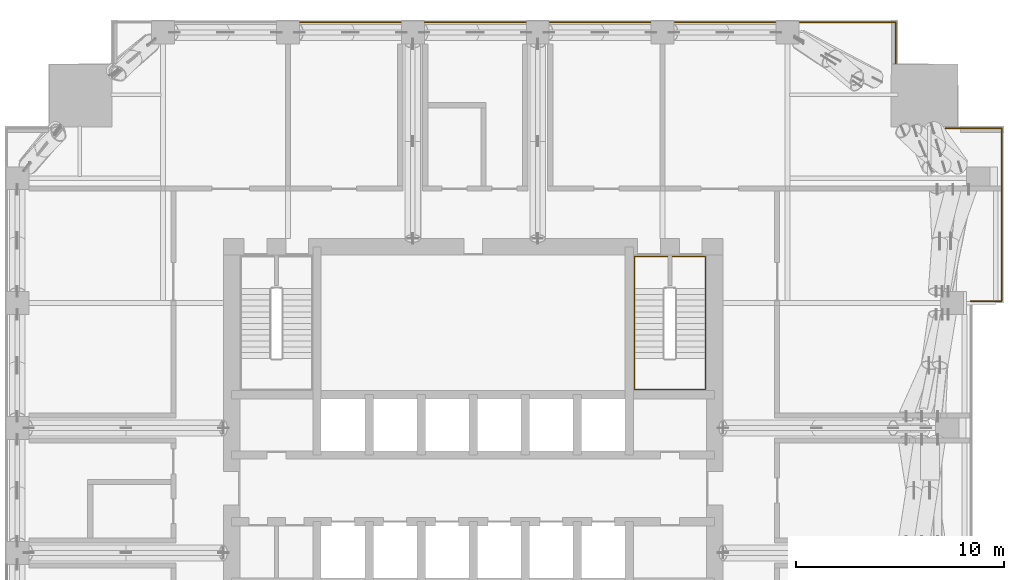
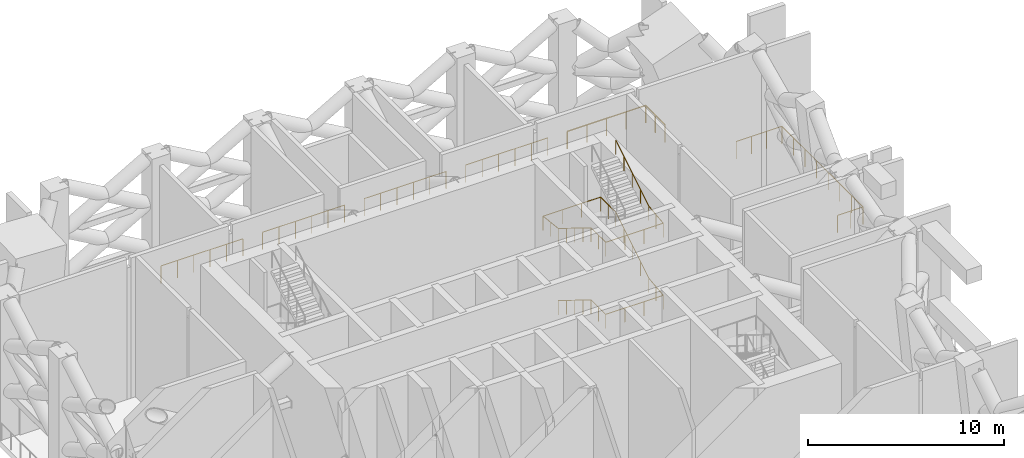
# One storey, part 19 of 19: 10 railings.
"""IFC4 building model written with IfcOpenShell, lengths in metres."""

from ifc_helpers import new_model, si_unit, direction, frame, origin, origin_2d, place, context, subcontext, project, spatial, circle, extrude, material, type_object, element, save


model = new_model("IFC4")

# Units and contexts
model_context = context("Model", 3, precision=1e-05, world=origin(), true_north=direction((0.0, 1.0)))
body_context = subcontext(model_context, "Body", "Model", "MODEL_VIEW")
ifc_project = project(units=[si_unit("LENGTHUNIT", "METRE"), si_unit("AREAUNIT", "SQUARE_METRE"), si_unit("VOLUMEUNIT", "CUBIC_METRE"), si_unit("PLANEANGLEUNIT", "RADIAN"), si_unit("MASSUNIT", "GRAM", prefix="KILO")], contexts=[model_context])

# Site, building, storey
site_placement = place(None, origin())
site = spatial("IfcSite", under=ifc_project, at=site_placement, CompositionType="ELEMENT")
building_placement = place(site_placement, origin())
building = spatial("IfcBuilding", under=site, at=building_placement, Name="Amberfall Residences", CompositionType="ELEMENT")
storey_placement = place(building_placement, frame((0.0, 0.0, 124.89990234375)))
storey = spatial("IfcBuildingStorey", under=building, at=storey_placement, Name="L34", CompositionType="ELEMENT", Elevation=124.89990234375)

# Railings
ifc_material_1 = material(Name="Bronze anodised aluminium and laminated glass", Category="aluminium")
railing_type_1 = type_object("IfcRailingType", Name="Refuge edge guard 1100", PredefinedType="GUARDRAIL", material=ifc_material_1)
for number, where, name in (
    (1, (66.179931640625, 67.89990234375, 0.0), "Refuge edge guard L34 25"),
    (2, (72.179931640625, 67.89990234375, 0.0), "Refuge edge guard L34 26"),
    (3, (78.179931640625, 67.89990234375, 0.0), "Refuge edge guard L34 27"),
    (4, (84.179931640625, 67.89990234375, 0.0), "Refuge edge guard L34 28"),
):
    element("IfcRailing", number, at=place(storey_placement, frame(where)), inside=storey, type_object=railing_type_1, Name=name, PredefinedType="GUARDRAIL", context=body_context, shape_type="SweptSolid", body=[
        extrude(circle(Radius=0.02392578125, at=origin_2d()), frame((0.0, 0.0, 1.076171875), z_axis=(1.0, 0.0, 0.0), x_axis=(0.0, 1.0, 0.0)), (0.0, 0.0, 1.0), 4.840087890625),
        extrude(circle(Radius=0.02099609375, at=origin_2d()), origin(), (0.0, 0.0, 1.0), 1.052001953125),
        extrude(circle(Radius=0.02099609375, at=origin_2d()), frame((0.968017578125, 0.0, 0.0)), (0.0, 0.0, 1.0), 1.052001953125),
        extrude(circle(Radius=0.02099609375, at=origin_2d()), frame((1.93603515625, 0.0, 0.0)), (0.0, 0.0, 1.0), 1.052001953125),
        extrude(circle(Radius=0.02099609375, at=origin_2d()), frame((2.904052734375, 0.0, 0.0)), (0.0, 0.0, 1.0), 1.052001953125),
        extrude(circle(Radius=0.02099609375, at=origin_2d()), frame((3.8720703125, 0.0, 0.0)), (0.0, 0.0, 1.0), 1.052001953125),
        extrude(circle(Radius=0.02099609375, at=origin_2d()), frame((4.840087890625, 0.0, 0.0)), (0.0, 0.0, 1.0), 1.052001953125),
    ])
railing_1_placement = place(storey_placement, frame((90.179931640625, 67.89990234375, 0.0)))
element("IfcRailing", 5, at=railing_1_placement, inside=storey, type_object=railing_type_1, Name="Refuge edge guard L34 29", PredefinedType="GUARDRAIL", context=body_context, shape_type="SweptSolid", body=[
    extrude(circle(Radius=0.02392578125, at=origin_2d()), frame((0.0, 0.0, 1.076171875), z_axis=(1.0, 0.0, 0.0), x_axis=(0.0, 1.0, 0.0)), (0.0, 0.0, 1.0), 4.6201171875),
    extrude(circle(Radius=0.02099609375, at=origin_2d()), origin(), (0.0, 0.0, 1.0), 1.052001953125),
    extrude(circle(Radius=0.02099609375, at=origin_2d()), frame((1.155029296875, 0.0, 0.0)), (0.0, 0.0, 1.0), 1.052001953125),
    extrude(circle(Radius=0.02099609375, at=origin_2d()), frame((2.31005859375, 0.0, 0.0)), (0.0, 0.0, 1.0), 1.052001953125),
    extrude(circle(Radius=0.02099609375, at=origin_2d()), frame((3.465087890625, 0.0, 0.0)), (0.0, 0.0, 1.0), 1.052001953125),
    extrude(circle(Radius=0.02099609375, at=origin_2d()), frame((4.6201171875, 0.0, 0.0)), (0.0, 0.0, 1.0), 1.052001953125),
])
railing_2_placement = place(storey_placement, frame((94.800048828125, 67.89990234375, 0.0)))
element("IfcRailing", 6, at=railing_2_placement, inside=storey, type_object=railing_type_1, Name="Refuge edge guard L34 30", PredefinedType="GUARDRAIL", context=body_context, shape_type="SweptSolid", body=[
    extrude(circle(Radius=0.02392578125, at=origin_2d()), frame((0.0, 0.0, 1.076171875), z_axis=(0.0, -1.0, 0.0), x_axis=(1.0, 0.0, 0.0)), (0.0, 0.0, 1.0), 1.9873046875),
    extrude(circle(Radius=0.02099609375, at=origin_2d()), origin(), (0.0, 0.0, 1.0), 1.052001953125),
    extrude(circle(Radius=0.02099609375, at=origin_2d()), frame((0.0, -0.99365234375, 0.0)), (0.0, 0.0, 1.0), 1.052001953125),
    extrude(circle(Radius=0.02099609375, at=origin_2d()), frame((0.0, -1.9873046875, 0.0)), (0.0, 0.0, 1.0), 1.052001953125),
])
railing_3_placement = place(storey_placement, frame((97.201416015625, 62.800048828125, 0.0)))
element("IfcRailing", 7, at=railing_3_placement, inside=storey, type_object=railing_type_1, Name="Refuge edge guard L34 31", PredefinedType="GUARDRAIL", context=body_context, shape_type="SweptSolid", body=[
    extrude(circle(Radius=0.02392578125, at=origin_2d()), frame((0.0, 0.0, 1.076171875), z_axis=(1.0, 0.0, 0.0), x_axis=(0.0, 1.0, 0.0)), (0.0, 0.0, 1.0), 2.698486328125),
    extrude(circle(Radius=0.02099609375, at=origin_2d()), origin(), (0.0, 0.0, 1.0), 1.052001953125),
    extrude(circle(Radius=0.02099609375, at=origin_2d()), frame((0.8994140625, 0.0, 0.0)), (0.0, 0.0, 1.0), 1.052001953125),
    extrude(circle(Radius=0.02099609375, at=origin_2d()), frame((1.799072265625, 0.0, 0.0)), (0.0, 0.0, 1.0), 1.052001953125),
    extrude(circle(Radius=0.02099609375, at=origin_2d()), frame((2.698486328125, 0.0, 0.0)), (0.0, 0.0, 1.0), 1.052001953125),
])
railing_4_placement = place(storey_placement, frame((99.89990234375, 62.800048828125, 0.0)))
element("IfcRailing", 8, at=railing_4_placement, inside=storey, type_object=railing_type_1, Name="Refuge edge guard L34 32", PredefinedType="GUARDRAIL", context=body_context, shape_type="SweptSolid", body=[
    extrude(circle(Radius=0.02392578125, at=origin_2d()), frame((0.0, 0.0, 1.076171875), z_axis=(0.0, -1.0, 0.0), x_axis=(1.0, 0.0, 0.0)), (0.0, 0.0, 1.0), 8.300048828125),
    extrude(circle(Radius=0.02099609375, at=origin_2d()), origin(), (0.0, 0.0, 1.0), 1.052001953125),
    extrude(circle(Radius=0.02099609375, at=origin_2d()), frame((0.0, -1.185791015625, 0.0)), (0.0, 0.0, 1.0), 1.052001953125),
    extrude(circle(Radius=0.02099609375, at=origin_2d()), frame((0.0, -2.371337890625, 0.0)), (0.0, 0.0, 1.0), 1.052001953125),
    extrude(circle(Radius=0.02099609375, at=origin_2d()), frame((0.0, -3.55712890625, 0.0)), (0.0, 0.0, 1.0), 1.052001953125),
    extrude(circle(Radius=0.02099609375, at=origin_2d()), frame((0.0, -4.742919921875, 0.0)), (0.0, 0.0, 1.0), 1.052001953125),
    extrude(circle(Radius=0.02099609375, at=origin_2d()), frame((0.0, -5.9287109375, 0.0)), (0.0, 0.0, 1.0), 1.052001953125),
    extrude(circle(Radius=0.02099609375, at=origin_2d()), frame((0.0, -7.1142578125, 0.0)), (0.0, 0.0, 1.0), 1.052001953125),
    extrude(circle(Radius=0.02099609375, at=origin_2d()), frame((0.0, -8.300048828125, 0.0)), (0.0, 0.0, 1.0), 1.052001953125),
])
railing_5_placement = place(storey_placement, frame((99.89990234375, 54.5, 0.0)))
element("IfcRailing", 9, at=railing_5_placement, inside=storey, type_object=railing_type_1, Name="Refuge edge guard L34 33", PredefinedType="GUARDRAIL", context=body_context, shape_type="SweptSolid", body=[
    extrude(circle(Radius=0.02392578125, at=origin_2d()), frame((0.0, 0.0, 1.076171875), z_axis=(-1.0, 0.0, 0.0), x_axis=(0.0, -1.0, 0.0)), (0.0, 0.0, 1.0), 1.5),
    extrude(circle(Radius=0.02099609375, at=origin_2d()), origin(), (0.0, 0.0, 1.0), 1.052001953125),
    extrude(circle(Radius=0.02099609375, at=origin_2d()), frame((-0.75, 0.0, 0.0)), (0.0, 0.0, 1.0), 1.052001953125),
    extrude(circle(Radius=0.02099609375, at=origin_2d()), frame((-1.5, 0.0, 0.0)), (0.0, 0.0, 1.0), 1.052001953125),
])
ifc_material_2 = material(Name="Stainless steel 316", Category="steel")
railing_type_2 = type_object("IfcRailingType", Name="Stair handrail 900", PredefinedType="HANDRAIL", material=ifc_material_2)
railing_6_placement = place(storey_placement, frame((82.25, 55.10009765625, 0.173095703125)))
element("IfcRailing", 10, at=railing_6_placement, inside=storey, type_object=railing_type_2, Name="L34 stair 3 handrail", PredefinedType="HANDRAIL", context=body_context, shape_type="SweptSolid", body=[
    extrude(circle(Radius=0.02392578125, at=origin_2d()), frame((0.0, 0.0, 0.8759765625), z_axis=(0.0, -0.850623216509, 0.525775754039), x_axis=(1.0, 0.0, 0.0)), (0.0, 0.0, 1.0), 3.9501953125),
    extrude(circle(Radius=0.02392578125, at=origin_2d()), frame((0.0, -3.360107421875, 2.95263671875), z_axis=(0.0, -1.0, 0.0), x_axis=(1.0, 0.0, 0.0)), (0.0, 0.0, 1.0), 1.489990234375),
    extrude(circle(Radius=0.02392578125, at=origin_2d()), frame((0.0, -4.85009765625, 2.95263671875), z_axis=(1.0, 0.0, 0.0), x_axis=(0.0, 1.0, 0.0)), (0.0, 0.0, 1.0), 3.39990234375),
    extrude(circle(Radius=0.02392578125, at=origin_2d()), frame((3.39990234375, -4.85009765625, 2.95263671875), z_axis=(0.0, 0.993319533971, 0.115396288642), x_axis=(-1.0, 0.0, 0.0)), (0.0, 0.0, 1.0), 1.5),
    extrude(circle(Radius=0.02392578125, at=origin_2d()), frame((3.39990234375, -3.360107421875, 3.1259765625), z_axis=(0.0, 0.850623216509, 0.525775754039), x_axis=(-1.0, 0.0, 0.0)), (0.0, 0.0, 1.0), 3.9501953125),
    extrude(circle(Radius=0.02392578125, at=origin_2d()), frame((3.39990234375, 0.0, 5.20263671875), z_axis=(0.0, 1.0, 0.0), x_axis=(-1.0, 0.0, 0.0)), (0.0, 0.0, 1.0), 1.5498046875),
    extrude(circle(Radius=0.02392578125, at=origin_2d()), frame((3.39990234375, 1.5498046875, 5.20263671875), z_axis=(-1.0, 0.0, 0.0), x_axis=(0.0, -1.0, 0.0)), (0.0, 0.0, 1.0), 3.39990234375),
    extrude(circle(Radius=0.02392578125, at=origin_2d()), frame((0.0, 1.5498046875, 5.20263671875), z_axis=(0.0, -0.993820568478, 0.110998548055), x_axis=(1.0, 0.0, 0.0)), (0.0, 0.0, 1.0), 1.559326171875),
    extrude(circle(Radius=0.02392578125, at=origin_2d()), frame((0.0, 0.0, 5.3759765625), z_axis=(0.0, -0.850623216509, 0.525775754039), x_axis=(1.0, 0.0, 0.0)), (0.0, 0.0, 1.0), 3.9501953125),
    extrude(circle(Radius=0.02392578125, at=origin_2d()), frame((0.0, -3.360107421875, 7.45263671875), z_axis=(0.0, -1.0, 0.0), x_axis=(1.0, 0.0, 0.0)), (0.0, 0.0, 1.0), 1.489990234375),
    extrude(circle(Radius=0.02392578125, at=origin_2d()), frame((0.0, -4.85009765625, 7.45263671875), z_axis=(1.0, 0.0, 0.0), x_axis=(0.0, 1.0, 0.0)), (0.0, 0.0, 1.0), 3.39990234375),
    extrude(circle(Radius=0.02392578125, at=origin_2d()), frame((3.39990234375, -4.85009765625, 7.45263671875), z_axis=(0.0, 0.993319533971, 0.115396288642), x_axis=(-1.0, 0.0, 0.0)), (0.0, 0.0, 1.0), 1.5),
    extrude(circle(Radius=0.02392578125, at=origin_2d()), frame((3.39990234375, -3.360107421875, 7.6259765625), z_axis=(0.0, 0.850623216509, 0.525775754039), x_axis=(-1.0, 0.0, 0.0)), (0.0, 0.0, 1.0), 3.9501953125),
    extrude(circle(Radius=0.02099609375, at=origin_2d()), origin(), (0.0, 0.0, 1.0), 0.851806640625),
    extrude(circle(Radius=0.02099609375, at=origin_2d()), frame((0.0, -0.840087890625, 0.519287109375)), (0.0, 0.0, 1.0), 0.851806640625),
    extrude(circle(Radius=0.02099609375, at=origin_2d()), frame((0.0, -1.68017578125, 1.03857421875)), (0.0, 0.0, 1.0), 0.851806640625),
    extrude(circle(Radius=0.02099609375, at=origin_2d()), frame((0.0, -2.52001953125, 1.5576171875)), (0.0, 0.0, 1.0), 0.851806640625),
    extrude(circle(Radius=0.02099609375, at=origin_2d()), frame((0.0, -3.360107421875, 2.076904296875)), (0.0, 0.0, 1.0), 0.851806640625),
    extrude(circle(Radius=0.02099609375, at=origin_2d()), frame((0.0, -4.10498046875, 2.076904296875)), (0.0, 0.0, 1.0), 0.851806640625),
    extrude(circle(Radius=0.02099609375, at=origin_2d()), frame((0.0, -4.85009765625, 2.076904296875)), (0.0, 0.0, 1.0), 0.851806640625),
    extrude(circle(Radius=0.02099609375, at=origin_2d()), frame((1.13330078125, -4.85009765625, 2.076904296875)), (0.0, 0.0, 1.0), 0.851806640625),
    extrude(circle(Radius=0.02099609375, at=origin_2d()), frame((2.2666015625, -4.85009765625, 2.076904296875)), (0.0, 0.0, 1.0), 0.851806640625),
    extrude(circle(Radius=0.02099609375, at=origin_2d()), frame((3.39990234375, -4.85009765625, 2.076904296875)), (0.0, 0.0, 1.0), 0.851806640625),
    extrude(circle(Radius=0.02099609375, at=origin_2d()), frame((3.39990234375, -4.10498046875, 2.16357421875)), (0.0, 0.0, 1.0), 0.851806640625),
    extrude(circle(Radius=0.02099609375, at=origin_2d()), frame((3.39990234375, -3.360107421875, 2.25)), (0.0, 0.0, 1.0), 0.851806640625),
    extrude(circle(Radius=0.02099609375, at=origin_2d()), frame((3.39990234375, -2.52001953125, 2.769287109375)), (0.0, 0.0, 1.0), 0.851806640625),
    extrude(circle(Radius=0.02099609375, at=origin_2d()), frame((3.39990234375, -1.68017578125, 3.28857421875)), (0.0, 0.0, 1.0), 0.851806640625),
    extrude(circle(Radius=0.02099609375, at=origin_2d()), frame((3.39990234375, -0.840087890625, 3.8076171875)), (0.0, 0.0, 1.0), 0.851806640625),
    extrude(circle(Radius=0.02099609375, at=origin_2d()), frame((3.39990234375, 0.0, 4.326904296875)), (0.0, 0.0, 1.0), 0.851806640625),
    extrude(circle(Radius=0.02099609375, at=origin_2d()), frame((3.39990234375, 0.77490234375, 4.326904296875)), (0.0, 0.0, 1.0), 0.851806640625),
    extrude(circle(Radius=0.02099609375, at=origin_2d()), frame((3.39990234375, 1.5498046875, 4.326904296875)), (0.0, 0.0, 1.0), 0.851806640625),
    extrude(circle(Radius=0.02099609375, at=origin_2d()), frame((2.2666015625, 1.5498046875, 4.326904296875)), (0.0, 0.0, 1.0), 0.851806640625),
    extrude(circle(Radius=0.02099609375, at=origin_2d()), frame((1.13330078125, 1.5498046875, 4.326904296875)), (0.0, 0.0, 1.0), 0.851806640625),
    extrude(circle(Radius=0.02099609375, at=origin_2d()), frame((0.0, 1.5498046875, 4.326904296875)), (0.0, 0.0, 1.0), 0.851806640625),
    extrude(circle(Radius=0.02099609375, at=origin_2d()), frame((0.0, 0.77490234375, 4.41357421875)), (0.0, 0.0, 1.0), 0.851806640625),
    extrude(circle(Radius=0.02099609375, at=origin_2d()), frame((0.0, 0.0, 4.5)), (0.0, 0.0, 1.0), 0.851806640625),
    extrude(circle(Radius=0.02099609375, at=origin_2d()), frame((0.0, -0.840087890625, 5.019287109375)), (0.0, 0.0, 1.0), 0.851806640625),
    extrude(circle(Radius=0.02099609375, at=origin_2d()), frame((0.0, -1.68017578125, 5.53857421875)), (0.0, 0.0, 1.0), 0.851806640625),
    extrude(circle(Radius=0.02099609375, at=origin_2d()), frame((0.0, -2.52001953125, 6.0576171875)), (0.0, 0.0, 1.0), 0.851806640625),
    extrude(circle(Radius=0.02099609375, at=origin_2d()), frame((0.0, -3.360107421875, 6.576904296875)), (0.0, 0.0, 1.0), 0.851806640625),
    extrude(circle(Radius=0.02099609375, at=origin_2d()), frame((0.0, -4.10498046875, 6.576904296875)), (0.0, 0.0, 1.0), 0.851806640625),
    extrude(circle(Radius=0.02099609375, at=origin_2d()), frame((0.0, -4.85009765625, 6.576904296875)), (0.0, 0.0, 1.0), 0.851806640625),
    extrude(circle(Radius=0.02099609375, at=origin_2d()), frame((1.13330078125, -4.85009765625, 6.576904296875)), (0.0, 0.0, 1.0), 0.851806640625),
    extrude(circle(Radius=0.02099609375, at=origin_2d()), frame((2.2666015625, -4.85009765625, 6.576904296875)), (0.0, 0.0, 1.0), 0.851806640625),
    extrude(circle(Radius=0.02099609375, at=origin_2d()), frame((3.39990234375, -4.85009765625, 6.576904296875)), (0.0, 0.0, 1.0), 0.851806640625),
    extrude(circle(Radius=0.02099609375, at=origin_2d()), frame((3.39990234375, -4.10498046875, 6.66357421875)), (0.0, 0.0, 1.0), 0.851806640625),
    extrude(circle(Radius=0.02099609375, at=origin_2d()), frame((3.39990234375, -3.360107421875, 6.75)), (0.0, 0.0, 1.0), 0.851806640625),
    extrude(circle(Radius=0.02099609375, at=origin_2d()), frame((3.39990234375, -2.52001953125, 7.269287109375)), (0.0, 0.0, 1.0), 0.851806640625),
    extrude(circle(Radius=0.02099609375, at=origin_2d()), frame((3.39990234375, -1.68017578125, 7.78857421875)), (0.0, 0.0, 1.0), 0.851806640625),
    extrude(circle(Radius=0.02099609375, at=origin_2d()), frame((3.39990234375, -0.840087890625, 8.3076171875)), (0.0, 0.0, 1.0), 0.851806640625),
    extrude(circle(Radius=0.02099609375, at=origin_2d()), frame((3.39990234375, 0.0, 8.826904296875)), (0.0, 0.0, 1.0), 0.851806640625),
])

save(model, "model.ifc")
